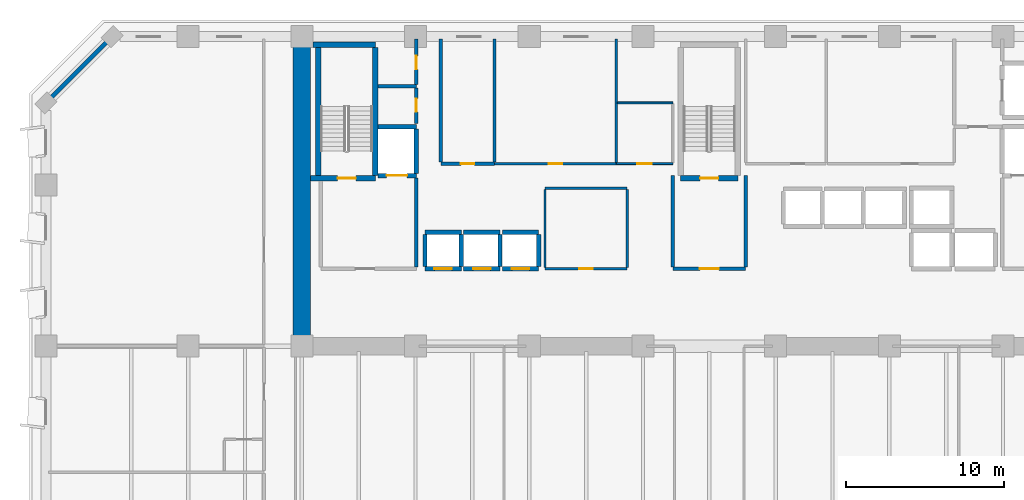
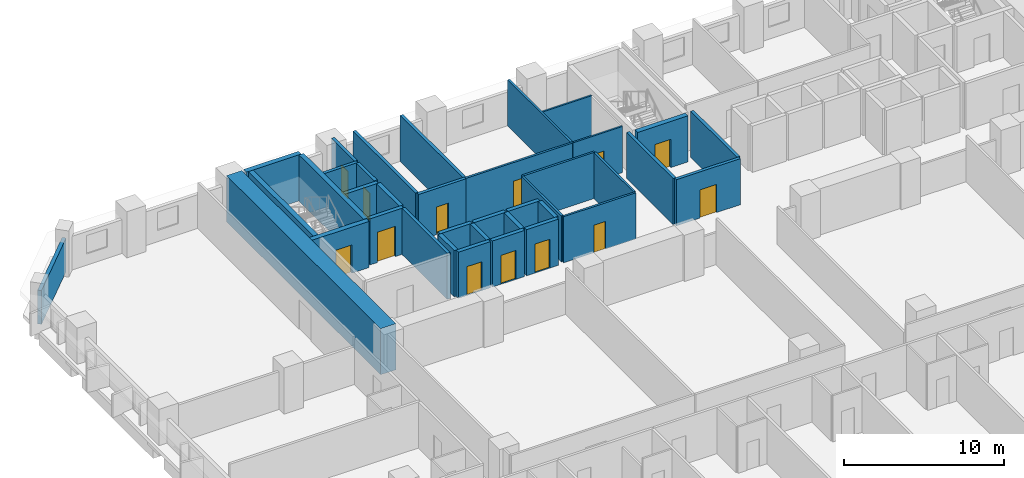
# One storey, part 7 of 15: 38 walls, 13 doors, 13 openings.
"""IFC4 building model written with IfcOpenShell, lengths in metres."""

from ifc_helpers import new_model, si_unit, direction, frame, frame_2d, origin, place, context, subcontext, project, spatial, rectangle, extrude, material, layer, layer_set, type_object, element, fill, save


model = new_model("IFC4")

# Units and contexts
model_context = context("Model", 3, precision=1e-05, world=origin(), true_north=direction((0.0, 1.0)))
body_context = subcontext(model_context, "Body", "Model", "MODEL_VIEW")
ifc_project = project(units=[si_unit("LENGTHUNIT", "METRE"), si_unit("AREAUNIT", "SQUARE_METRE"), si_unit("VOLUMEUNIT", "CUBIC_METRE"), si_unit("PLANEANGLEUNIT", "RADIAN"), si_unit("MASSUNIT", "GRAM", prefix="KILO")], contexts=[model_context])

# Site, building, storey
site_placement = place(None, origin())
site = spatial("IfcSite", under=ifc_project, at=site_placement, CompositionType="ELEMENT")
building_placement = place(site_placement, origin())
building = spatial("IfcBuilding", under=site, at=building_placement, Name="Kaelvorn Grand Hotel", CompositionType="ELEMENT")
storey_placement = place(building_placement, frame((0.0, 0.0, 50.14990234375)))
storey = spatial("IfcBuildingStorey", under=building, at=storey_placement, Name="L10", CompositionType="ELEMENT", Elevation=50.14990234375)

# Walls
ifc_material_1 = material(Name="Concrete C80/95", Category="concrete")
ifc_layer_1 = layer(ifc_material_1, 1.10009765625)
ifc_layer_set_1 = layer_set([ifc_layer_1], Name="Concrete C80/95")
wall_type_1 = type_object("IfcWallType", Name="WL-CORE-1100-C80", PredefinedType="SHEAR", material=ifc_layer_set_1)
wall_1_placement = place(storey_placement, frame((16.199951171875, 29.39990234375, 0.0), z_axis=(0.0, 0.0, 1.0), x_axis=(0.0, 1.0, 0.0)))
element("IfcWall", 1, at=wall_1_placement, inside=storey, type_object=wall_type_1, Name="L10 Rear-Core West Shear Wall", PredefinedType="SHEAR", context=body_context, shape_type="SweptSolid", body=[
    extrude(rectangle(XDim=19.2001953125, YDim=1.10009765625, at=frame_2d((9.60009765625, 0.0))), origin(), (0.0, 0.0, 1.0), 3.510009765625),
])
ifc_material_2 = material(Name="Concrete C40/50", Category="concrete")
ifc_layer_2 = layer(ifc_material_2, 0.260009765625)
ifc_layer_set_2 = layer_set([ifc_layer_2], Name="Concrete C40/50")
wall_type_2 = type_object("IfcWallType", Name="WL-EXT-260-C40", PredefinedType="SOLIDWALL", material=ifc_layer_set_2)
wall_2_placement = place(storey_placement, frame((4.199951171875, 49.0, 0.0), z_axis=(0.0, 0.0, 1.0), x_axis=(-0.707106781187, -0.707106781187, 0.0)))
element("IfcWall", 2, at=wall_2_placement, inside=storey, type_object=wall_type_2, Name="L10 Exterior Architectural Concrete Wall 06", PredefinedType="SOLIDWALL", context=body_context, shape_type="SweptSolid", body=[
    extrude(rectangle(XDim=5.939697265625, YDim=0.260009765625, at=frame_2d((2.9697265625, 0.0))), origin(), (0.0, 0.0, 1.0), 2.56005859375),
])

# Wall, opening, door
ifc_material_3 = material(Name="Moisture-Resistant Tile & Stud Board")
ifc_layer_3 = layer(ifc_material_3, 0.125)
ifc_layer_set_3 = layer_set([ifc_layer_3], Name="Moisture-Resistant Tile & Stud Board")
wall_type_3 = type_object("IfcWallType", Name="WL-PART-125-WET", PredefinedType="PARTITIONING", material=ifc_layer_set_3)
wall_3_placement = place(storey_placement, frame((36.110107421875, 40.949951171875, 0.0), z_axis=(0.0, 0.0, 1.0), x_axis=(1.0, 0.0, 0.0)))
wall_3 = element("IfcWall", 3, at=wall_3_placement, inside=storey, type_object=wall_type_3, Name="L10 Accessible WC S Partition", PredefinedType="PARTITIONING", context=body_context, shape_type="SweptSolid", body=[
    extrude(rectangle(XDim=3.58984375, YDim=0.125, at=frame_2d((1.794921875, 0.0))), origin(), (0.0, 0.0, 1.0), 3.510009765625),
])
opening_1_placement = place(wall_3_placement, frame((1.340087890625, 0.0, 0.0)))
opening_1 = element("IfcOpeningElement", 4, at=opening_1_placement, cuts=wall_3, Name="Opening DI4", PredefinedType="OPENING", context=body_context, shape_type="SweptSolid", body=[
    extrude(rectangle(XDim=0.89990234375, YDim=2.10009765625, at=frame_2d((0.449951171875, 1.050048828125))), frame((0.0, 0.072509765625, 0.0), z_axis=(0.0, -1.0, 0.0), x_axis=(1.0, 0.0, 0.0)), (0.0, 0.0, 1.0), 0.14501953125),
])
ifc_material_4 = material(Name="Timber Veneer Leaf", Category="wood")
door_type_1 = type_object("IfcDoorType", Name="DR-INT-BATH-900x2100", OperationType="NOTDEFINED", PredefinedType="DOOR", material=ifc_material_4)
door_1_placement = place(opening_1_placement, origin())
door_1 = element("IfcDoor", 5, at=door_1_placement, inside=storey, type_object=door_type_1, Name="L10 Accessible WC Door", OperationType="SINGLE_SWING_LEFT", OverallHeight=2.10009765625, OverallWidth=0.89990234375, PredefinedType="DOOR", context=body_context, shape_type="SweptSolid", body=[
    extrude(rectangle(XDim=0.89990234375, YDim=2.10009765625, at=frame_2d((0.449951171875, 1.050048828125))), frame((0.0, 0.02490234375, 0.0), z_axis=(0.0, -1.0, 0.0), x_axis=(1.0, 0.0, 0.0)), (0.0, 0.0, 1.0), 0.050048828125),
])
fill(opening_1, door_1)

# Wall
wall_4_placement = place(storey_placement, frame((36.179931640625, 44.800048828125, 0.0), z_axis=(0.0, 0.0, 1.0), x_axis=(1.0, 0.0, 0.0)))
element("IfcWall", 6, at=wall_4_placement, inside=storey, type_object=wall_type_3, Name="L10 Accessible WC N Partition", PredefinedType="PARTITIONING", context=body_context, shape_type="SweptSolid", body=[
    extrude(rectangle(XDim=3.52001953125, YDim=0.125, at=frame_2d((1.760009765625, 0.0))), origin(), (0.0, 0.0, 1.0), 3.510009765625),
])

# Wall, opening, door
ifc_material_5 = material(Name="Acoustic Gypsum & Stud Partition")
ifc_layer_4 = layer(ifc_material_5, 0.14990234375)
ifc_layer_set_4 = layer_set([ifc_layer_4], Name="Acoustic Gypsum & Stud Partition")
wall_type_4 = type_object("IfcWallType", Name="WL-PART-150-EI60", PredefinedType="PARTITIONING", material=ifc_layer_set_4)
wall_5_placement = place(storey_placement, frame((31.60009765625, 34.300048828125, 0.0), z_axis=(0.0, 0.0, 1.0), x_axis=(1.0, 0.0, 0.0)))
wall_5 = element("IfcWall", 7, at=wall_5_placement, inside=storey, type_object=wall_type_4, Name="L10 Core Telecoms & BMS Server Room S Partition", PredefinedType="PARTITIONING", context=body_context, shape_type="SweptSolid", body=[
    extrude(rectangle(XDim=5.199951171875, YDim=0.14990234375, at=frame_2d((2.60009765625, 0.0))), origin(), (0.0, 0.0, 1.0), 3.510009765625),
])
opening_2_placement = place(wall_5_placement, frame((2.175048828125, 0.0, 0.0)))
opening_2 = element("IfcOpeningElement", 8, at=opening_2_placement, cuts=wall_5, Name="Opening DI7", PredefinedType="OPENING", context=body_context, shape_type="SweptSolid", body=[
    extrude(rectangle(XDim=0.85009765625, YDim=2.10009765625, at=frame_2d((0.425048828125, 1.050048828125))), frame((0.0, 0.0849609375, 0.0), z_axis=(0.0, -1.0, 0.0), x_axis=(1.0, 0.0, 0.0)), (0.0, 0.0, 1.0), 0.169921875),
])
ifc_material_6 = material(Name="Powder-Coated Steel Leaf", Category="steel")
door_type_2 = type_object("IfcDoorType", Name="DR-INT-RISER-850x2100", OperationType="NOTDEFINED", PredefinedType="DOOR", material=ifc_material_6)
door_2_placement = place(opening_2_placement, origin())
door_2 = element("IfcDoor", 9, at=door_2_placement, inside=storey, type_object=door_type_2, Name="L10 Core Telecoms & BMS Server Room Door", OperationType="SINGLE_SWING_RIGHT", OverallHeight=2.10009765625, OverallWidth=0.85009765625, PredefinedType="DOOR", context=body_context, shape_type="SweptSolid", body=[
    extrude(rectangle(XDim=0.85009765625, YDim=2.10009765625, at=frame_2d((0.425048828125, 1.050048828125))), frame((0.0, 0.02490234375, 0.0), z_axis=(0.0, -1.0, 0.0), x_axis=(1.0, 0.0, 0.0)), (0.0, 0.0, 1.0), 0.050048828125),
])
fill(opening_2, door_2)

# Walls
wall_6_placement = place(storey_placement, frame((31.60009765625, 39.39990234375, 0.0), z_axis=(0.0, 0.0, 1.0), x_axis=(1.0, 0.0, 0.0)))
element("IfcWall", 10, at=wall_6_placement, inside=storey, type_object=wall_type_4, Name="L10 Core Telecoms & BMS Server Room N Partition", PredefinedType="PARTITIONING", context=body_context, shape_type="SweptSolid", body=[
    extrude(rectangle(XDim=5.199951171875, YDim=0.14990234375, at=frame_2d((2.60009765625, 0.0))), origin(), (0.0, 0.0, 1.0), 3.510009765625),
])
for number, where, z_axis, x_axis, name in (
    (11, (31.60009765625, 34.3798828125, 0.0), (0.0, 0.0, 1.0), (0.0, 1.0, 0.0), "L10 Core Telecoms & BMS Server Room W Partition"),
    (12, (36.800048828125, 34.3798828125, 0.0), (0.0, 0.0, 1.0), (0.0, 1.0, 0.0), "L10 Core Telecoms & BMS Server Room E Partition"),
):
    element("IfcWall", number, at=place(storey_placement, frame(where, z_axis=z_axis, x_axis=x_axis)), inside=storey, type_object=wall_type_4, Name=name, PredefinedType="PARTITIONING", context=body_context, shape_type="SweptSolid", body=[
        extrude(rectangle(XDim=4.940185546875, YDim=0.14990234375, at=frame_2d((2.47021484375, 0.0))), origin(), (0.0, 0.0, 1.0), 3.510009765625),
    ])

# Wall, opening, door
wall_7_placement = place(storey_placement, frame((28.409912109375, 40.949951171875, 0.0), z_axis=(0.0, 0.0, 1.0), x_axis=(1.0, 0.0, 0.0)))
wall_7 = element("IfcWall", 13, at=wall_7_placement, inside=storey, type_object=wall_type_4, Name="L10 Housekeeping & Linen Room S Partition", PredefinedType="PARTITIONING", context=body_context, shape_type="SweptSolid", body=[
    extrude(rectangle(XDim=7.690185546875, YDim=0.14990234375, at=frame_2d((3.84521484375, 0.0))), origin(), (0.0, 0.0, 1.0), 3.510009765625),
])
opening_3_placement = place(wall_7_placement, frame((3.4150390625, 0.0, 0.0)))
opening_3 = element("IfcOpeningElement", 14, at=opening_3_placement, cuts=wall_7, Name="Opening DI7", PredefinedType="OPENING", context=body_context, shape_type="SweptSolid", body=[
    extrude(rectangle(XDim=0.85009765625, YDim=2.10009765625, at=frame_2d((0.425048828125, 1.050048828125))), frame((0.0, 0.0849609375, 0.0), z_axis=(0.0, -1.0, 0.0), x_axis=(1.0, 0.0, 0.0)), (0.0, 0.0, 1.0), 0.169921875),
])
door_3_placement = place(opening_3_placement, origin())
door_3 = element("IfcDoor", 15, at=door_3_placement, inside=storey, type_object=door_type_2, Name="L10 Housekeeping & Linen Room Door", OperationType="SINGLE_SWING_RIGHT", OverallHeight=2.10009765625, OverallWidth=0.85009765625, PredefinedType="DOOR", context=body_context, shape_type="SweptSolid", body=[
    extrude(rectangle(XDim=0.85009765625, YDim=2.10009765625, at=frame_2d((0.425048828125, 1.050048828125))), frame((0.0, 0.02490234375, 0.0), z_axis=(0.0, -1.0, 0.0), x_axis=(1.0, 0.0, 0.0)), (0.0, 0.0, 1.0), 0.050048828125),
])
fill(opening_3, door_3)

# Walls
wall_8_placement = place(storey_placement, frame((36.10009765625, 41.030029296875, 0.0), z_axis=(0.0, 0.0, 1.0), x_axis=(0.0, 1.0, 0.0)))
element("IfcWall", 16, at=wall_8_placement, inside=storey, type_object=wall_type_4, Name="L10 Housekeeping & Linen Room E Partition", PredefinedType="PARTITIONING", context=body_context, shape_type="SweptSolid", body=[
    extrude(rectangle(XDim=7.820068359375, YDim=0.14990234375, at=frame_2d((3.91015625, 0.0))), origin(), (0.0, 0.0, 1.0), 3.510009765625),
])
ifc_layer_5 = layer(ifc_material_2, 0.219970703125)
ifc_layer_set_5 = layer_set([ifc_layer_5], Name="Concrete C40/50")
wall_type_5 = type_object("IfcWallType", Name="WL-PART-220-EI120", PredefinedType="PARTITIONING", material=ifc_layer_set_5)
wall_9_placement = place(storey_placement, frame((23.449951171875, 34.4150390625, 0.0), z_axis=(0.0, 0.0, 1.0), x_axis=(0.0, 1.0, 0.0)))
element("IfcWall", 17, at=wall_9_placement, inside=storey, type_object=wall_type_5, Name="L10 Firefighting Lift Lobby 1 E Partition", PredefinedType="PARTITIONING", context=body_context, shape_type="SweptSolid", body=[
    extrude(rectangle(XDim=5.639892578125, YDim=0.219970703125, at=frame_2d((2.81982421875, 0.0))), origin(), (0.0, 0.0, 1.0), 3.510009765625),
])

# Wall, opening, door
wall_10_placement = place(storey_placement, frame((39.699951171875, 34.300048828125, 0.0), z_axis=(0.0, 0.0, 1.0), x_axis=(1.0, 0.0, 0.0)))
wall_10 = element("IfcWall", 18, at=wall_10_placement, inside=storey, type_object=wall_type_5, Name="L10 Central Stair Escape Vestibule S Partition", PredefinedType="PARTITIONING", context=body_context, shape_type="SweptSolid", body=[
    extrude(rectangle(XDim=4.60009765625, YDim=0.219970703125, at=frame_2d((2.300048828125, 0.0))), origin(), (0.0, 0.0, 1.0), 3.510009765625),
])
opening_4_placement = place(wall_10_placement, frame((1.699951171875, 0.0, 0.0)))
opening_4 = element("IfcOpeningElement", 19, at=opening_4_placement, cuts=wall_10, Name="Opening DI2", PredefinedType="OPENING", context=body_context, shape_type="SweptSolid", body=[
    extrude(rectangle(XDim=1.199951171875, YDim=2.14990234375, at=frame_2d((0.60009765625, 1.074951171875))), frame((0.0, 0.1201171875, 0.0), z_axis=(0.0, -1.0, 0.0), x_axis=(1.0, 0.0, 0.0)), (0.0, 0.0, 1.0), 0.239990234375),
])
ifc_material_7 = material(Name="Timber Veneer Fire Leaf", Category="wood")
door_type_3 = type_object("IfcDoorType", Name="DR-INT-FFLOB-1200x2150", OperationType="NOTDEFINED", PredefinedType="DOOR", material=ifc_material_7)
door_4_placement = place(opening_4_placement, origin())
door_4 = element("IfcDoor", 20, at=door_4_placement, inside=storey, type_object=door_type_3, Name="L10 Central Stair Escape Vestibule Door", OperationType="SINGLE_SWING_RIGHT", OverallHeight=2.14990234375, OverallWidth=1.199951171875, PredefinedType="DOOR", context=body_context, shape_type="SweptSolid", body=[
    extrude(rectangle(XDim=1.199951171875, YDim=2.14990234375, at=frame_2d((0.60009765625, 1.074951171875))), frame((0.0, 0.02490234375, 0.0), z_axis=(0.0, -1.0, 0.0), x_axis=(1.0, 0.0, 0.0)), (0.0, 0.0, 1.0), 0.050048828125),
])
fill(opening_4, door_4)

# Walls
for number, where, z_axis, x_axis, name in (
    (21, (39.699951171875, 34.4150390625, 0.0), (0.0, 0.0, 1.0), (0.0, 1.0, 0.0), "L10 Central Stair Escape Vestibule W Partition"),
    (22, (44.300048828125, 34.4150390625, 0.0), (0.0, 0.0, 1.0), (0.0, 1.0, 0.0), "L10 Central Stair Escape Vestibule E Partition"),
):
    element("IfcWall", number, at=place(storey_placement, frame(where, z_axis=z_axis, x_axis=x_axis)), inside=storey, type_object=wall_type_5, Name=name, PredefinedType="PARTITIONING", context=body_context, shape_type="SweptSolid", body=[
        extrude(rectangle(XDim=5.784912109375, YDim=0.219970703125, at=frame_2d((2.892578125, 0.0))), origin(), (0.0, 0.0, 1.0), 3.510009765625),
    ])
wall_11_placement = place(storey_placement, frame((21.034912109375, 45.85009765625, 0.0), z_axis=(0.0, 0.0, 1.0), x_axis=(1.0, 0.0, 0.0)))
element("IfcWall", 23, at=wall_11_placement, inside=storey, type_object=wall_type_5, Name="L10 Wet Fire & Plumbing Riser Shaft N Partition", PredefinedType="PARTITIONING", context=body_context, shape_type="SweptSolid", body=[
    extrude(rectangle(XDim=2.4150390625, YDim=0.219970703125, at=frame_2d((1.20751953125, 0.0))), origin(), (0.0, 0.0, 1.0), 3.510009765625),
])

# Wall, opening, door
wall_12_placement = place(storey_placement, frame((23.449951171875, 43.5, 0.0), z_axis=(0.0, 0.0, 1.0), x_axis=(0.0, 1.0, 0.0)))
wall_12 = element("IfcWall", 24, at=wall_12_placement, inside=storey, type_object=wall_type_5, Name="L10 Wet Fire & Plumbing Riser Shaft E Partition", PredefinedType="PARTITIONING", context=body_context, shape_type="SweptSolid", body=[
    extrude(rectangle(XDim=2.235107421875, YDim=0.219970703125, at=frame_2d((1.11767578125, 0.0))), origin(), (0.0, 0.0, 1.0), 3.510009765625),
])
opening_5_placement = place(wall_12_placement, frame((0.72509765625, 0.0, 0.0)))
opening_5 = element("IfcOpeningElement", 25, at=opening_5_placement, cuts=wall_12, Name="Opening DI7", PredefinedType="OPENING", context=body_context, shape_type="SweptSolid", body=[
    extrude(rectangle(XDim=0.85009765625, YDim=2.10009765625, at=frame_2d((0.425048828125, 1.050048828125))), frame((0.0, 0.1201171875, 0.0), z_axis=(0.0, -1.0, 0.0), x_axis=(1.0, 0.0, 0.0)), (0.0, 0.0, 1.0), 0.239990234375),
])
door_5_placement = place(opening_5_placement, origin())
door_5 = element("IfcDoor", 26, at=door_5_placement, inside=storey, type_object=door_type_2, Name="L10 Wet Fire & Plumbing Riser Shaft Door", OperationType="SINGLE_SWING_RIGHT", OverallHeight=2.10009765625, OverallWidth=0.85009765625, PredefinedType="DOOR", context=body_context, shape_type="SweptSolid", body=[
    extrude(rectangle(XDim=0.85009765625, YDim=2.10009765625, at=frame_2d((0.425048828125, 1.050048828125))), frame((0.0, 0.02490234375, 0.0), z_axis=(0.0, -1.0, 0.0), x_axis=(1.0, 0.0, 0.0)), (0.0, 0.0, 1.0), 0.050048828125),
])
fill(opening_5, door_5)

wall_13_placement = place(storey_placement, frame((23.449951171875, 45.965087890625, 0.0), z_axis=(0.0, 0.0, 1.0), x_axis=(0.0, 1.0, 0.0)))
wall_13 = element("IfcWall", 27, at=wall_13_placement, inside=storey, type_object=wall_type_5, Name="L10 HV Electrical & Smoke Riser E Partition", PredefinedType="PARTITIONING", context=body_context, shape_type="SweptSolid", body=[
    extrude(rectangle(XDim=2.885009765625, YDim=0.219970703125, at=frame_2d((1.4423828125, 0.0))), origin(), (0.0, 0.0, 1.0), 3.510009765625),
])
opening_6_placement = place(wall_13_placement, frame((0.9599609375, 0.0, 0.0)))
opening_6 = element("IfcOpeningElement", 28, at=opening_6_placement, cuts=wall_13, Name="Opening DI7", PredefinedType="OPENING", context=body_context, shape_type="SweptSolid", body=[
    extrude(rectangle(XDim=0.85009765625, YDim=2.10009765625, at=frame_2d((0.425048828125, 1.050048828125))), frame((0.0, 0.1201171875, 0.0), z_axis=(0.0, -1.0, 0.0), x_axis=(1.0, 0.0, 0.0)), (0.0, 0.0, 1.0), 0.239990234375),
])
door_6_placement = place(opening_6_placement, origin())
door_6 = element("IfcDoor", 29, at=door_6_placement, inside=storey, type_object=door_type_2, Name="L10 HV Electrical & Smoke Riser Door", OperationType="SINGLE_SWING_LEFT", OverallHeight=2.10009765625, OverallWidth=0.85009765625, PredefinedType="DOOR", context=body_context, shape_type="SweptSolid", body=[
    extrude(rectangle(XDim=0.85009765625, YDim=2.10009765625, at=frame_2d((0.425048828125, 1.050048828125))), frame((0.0, 0.02490234375, 0.0), z_axis=(0.0, -1.0, 0.0), x_axis=(1.0, 0.0, 0.0)), (0.0, 0.0, 1.0), 0.050048828125),
])
fill(opening_6, door_6)

wall_14_placement = place(storey_placement, frame((25.0, 40.949951171875, 0.0), z_axis=(0.0, 0.0, 1.0), x_axis=(1.0, 0.0, 0.0)))
wall_14 = element("IfcWall", 30, at=wall_14_placement, inside=storey, type_object=wall_type_5, Name="L10 Electrical Distribution Room S Partition", PredefinedType="PARTITIONING", context=body_context, shape_type="SweptSolid", body=[
    extrude(rectangle(XDim=3.39990234375, YDim=0.219970703125, at=frame_2d((1.699951171875, 0.0))), origin(), (0.0, 0.0, 1.0), 3.510009765625),
])
opening_7_placement = place(wall_14_placement, frame((1.27490234375, 0.0, 0.0)))
opening_7 = element("IfcOpeningElement", 31, at=opening_7_placement, cuts=wall_14, Name="Opening DI7", PredefinedType="OPENING", context=body_context, shape_type="SweptSolid", body=[
    extrude(rectangle(XDim=0.85009765625, YDim=2.10009765625, at=frame_2d((0.425048828125, 1.050048828125))), frame((0.0, 0.1201171875, 0.0), z_axis=(0.0, -1.0, 0.0), x_axis=(1.0, 0.0, 0.0)), (0.0, 0.0, 1.0), 0.239990234375),
])
door_7_placement = place(opening_7_placement, origin())
door_7 = element("IfcDoor", 32, at=door_7_placement, inside=storey, type_object=door_type_2, Name="L10 Electrical Distribution Room Door", OperationType="SINGLE_SWING_LEFT", OverallHeight=2.10009765625, OverallWidth=0.85009765625, PredefinedType="DOOR", context=body_context, shape_type="SweptSolid", body=[
    extrude(rectangle(XDim=0.85009765625, YDim=2.10009765625, at=frame_2d((0.425048828125, 1.050048828125))), frame((0.0, 0.02490234375, 0.0), z_axis=(0.0, -1.0, 0.0), x_axis=(1.0, 0.0, 0.0)), (0.0, 0.0, 1.0), 0.050048828125),
])
fill(opening_7, door_7)

# Walls
for number, where, z_axis, x_axis, name in (
    (33, (25.0, 41.06494140625, 0.0), (0.0, 0.0, 1.0), (0.0, 1.0, 0.0), "L10 Electrical Distribution Room W Partition"),
    (34, (28.39990234375, 41.06494140625, 0.0), (0.0, 0.0, 1.0), (0.0, 1.0, 0.0), "L10 Electrical Distribution Room E Partition"),
):
    element("IfcWall", number, at=place(storey_placement, frame(where, z_axis=z_axis, x_axis=x_axis)), inside=storey, type_object=wall_type_5, Name=name, PredefinedType="PARTITIONING", context=body_context, shape_type="SweptSolid", body=[
        extrude(rectangle(XDim=7.78515625, YDim=0.219970703125, at=frame_2d((3.892578125, 0.0))), origin(), (0.0, 0.0, 1.0), 3.510009765625),
    ])

# Wall, opening, door
ifc_material_8 = material(Name="Concrete C50/60", Category="concrete")
ifc_layer_6 = layer(ifc_material_8, 0.280029296875)
ifc_layer_set_6 = layer_set([ifc_layer_6], Name="Concrete C50/60")
wall_type_6 = type_object("IfcWallType", Name="WL-SHAFT-280-C50", PredefinedType="SHEAR", material=ifc_layer_set_6)
wall_15_placement = place(storey_placement, frame((24.0, 34.300048828125, 0.0), z_axis=(0.0, 0.0, 1.0), x_axis=(1.0, 0.0, 0.0)))
wall_15 = element("IfcWall", 35, at=wall_15_placement, inside=storey, type_object=wall_type_6, Name="L10 Lift PL-L1 Shaft South Wall", PredefinedType="SHEAR", context=body_context, shape_type="SweptSolid", body=[
    extrude(rectangle(XDim=2.300048828125, YDim=0.280029296875, at=frame_2d((1.14990234375, 0.0))), origin(), (0.0, 0.0, 1.0), 3.510009765625),
])
opening_8_placement = place(wall_15_placement, frame((0.60009765625, 0.0, 0.0)))
opening_8 = element("IfcOpeningElement", 36, at=opening_8_placement, cuts=wall_15, Name="Opening LD-PL-L1", PredefinedType="OPENING", context=body_context, shape_type="SweptSolid", body=[
    extrude(rectangle(XDim=1.10009765625, YDim=2.199951171875, at=frame_2d((0.550048828125, 1.10009765625))), frame((0.0, 0.14990234375, 0.0), z_axis=(0.0, -1.0, 0.0), x_axis=(1.0, 0.0, 0.0)), (0.0, 0.0, 1.0), 0.300048828125),
])
ifc_material_9 = material(Name="Stainless Steel", Category="steel")
door_type_4 = type_object("IfcDoorType", Name="DR-LIFT-PASS-1100x2200", OperationType="DOUBLE_DOOR_SLIDING", PredefinedType="DOOR", material=ifc_material_9)
door_8_placement = place(opening_8_placement, origin())
door_8 = element("IfcDoor", 37, at=door_8_placement, inside=storey, type_object=door_type_4, Name="L10 Lift PL-L1 Sliding Landing Door LD-PL-L1", OperationType="DOUBLE_DOOR_SLIDING", OverallHeight=2.199951171875, OverallWidth=1.10009765625, PredefinedType="DOOR", context=body_context, shape_type="SweptSolid", body=[
    extrude(rectangle(XDim=1.10009765625, YDim=2.199951171875, at=frame_2d((0.550048828125, 1.10009765625))), frame((0.0, 0.02490234375, 0.0), z_axis=(0.0, -1.0, 0.0), x_axis=(1.0, 0.0, 0.0)), (0.0, 0.0, 1.0), 0.050048828125),
])
fill(opening_8, door_8)

# Walls
wall_16_placement = place(storey_placement, frame((24.0, 36.60009765625, 0.0), z_axis=(0.0, 0.0, 1.0), x_axis=(1.0, 0.0, 0.0)))
element("IfcWall", 38, at=wall_16_placement, inside=storey, type_object=wall_type_6, Name="L10 Lift PL-L1 Shaft North Wall", PredefinedType="SHEAR", context=body_context, shape_type="SweptSolid", body=[
    extrude(rectangle(XDim=2.300048828125, YDim=0.280029296875, at=frame_2d((1.14990234375, 0.0))), origin(), (0.0, 0.0, 1.0), 3.510009765625),
])
for number, where, z_axis, x_axis, name in (
    (39, (24.0, 34.445068359375, 0.0), (0.0, 0.0, 1.0), (0.0, 1.0, 0.0), "L10 Lift PL-L1 Shaft West Wall"),
    (40, (26.300048828125, 34.445068359375, 0.0), (0.0, 0.0, 1.0), (0.0, 1.0, 0.0), "L10 Lift PL-L1 Shaft East Wall"),
):
    element("IfcWall", number, at=place(storey_placement, frame(where, z_axis=z_axis, x_axis=x_axis)), inside=storey, type_object=wall_type_6, Name=name, PredefinedType="SHEAR", context=body_context, shape_type="SweptSolid", body=[
        extrude(rectangle(XDim=2.010009765625, YDim=0.280029296875, at=frame_2d((1.0048828125, 0.0))), origin(), (0.0, 0.0, 1.0), 3.510009765625),
    ])

# Wall, opening, door
wall_17_placement = place(storey_placement, frame((26.449951171875, 34.300048828125, 0.0), z_axis=(0.0, 0.0, 1.0), x_axis=(1.0, 0.0, 0.0)))
wall_17 = element("IfcWall", 41, at=wall_17_placement, inside=storey, type_object=wall_type_6, Name="L10 Lift PL-L2 Shaft South Wall", PredefinedType="SHEAR", context=body_context, shape_type="SweptSolid", body=[
    extrude(rectangle(XDim=2.300048828125, YDim=0.280029296875, at=frame_2d((1.14990234375, 0.0))), origin(), (0.0, 0.0, 1.0), 3.510009765625),
])
opening_9_placement = place(wall_17_placement, frame((0.60009765625, 0.0, 0.0)))
opening_9 = element("IfcOpeningElement", 42, at=opening_9_placement, cuts=wall_17, Name="Opening LD-PL-L2", PredefinedType="OPENING", context=body_context, shape_type="SweptSolid", body=[
    extrude(rectangle(XDim=1.10009765625, YDim=2.199951171875, at=frame_2d((0.550048828125, 1.10009765625))), frame((0.0, 0.14990234375, 0.0), z_axis=(0.0, -1.0, 0.0), x_axis=(1.0, 0.0, 0.0)), (0.0, 0.0, 1.0), 0.300048828125),
])
door_9_placement = place(opening_9_placement, origin())
door_9 = element("IfcDoor", 43, at=door_9_placement, inside=storey, type_object=door_type_4, Name="L10 Lift PL-L2 Sliding Landing Door LD-PL-L2", OperationType="DOUBLE_DOOR_SLIDING", OverallHeight=2.199951171875, OverallWidth=1.10009765625, PredefinedType="DOOR", context=body_context, shape_type="SweptSolid", body=[
    extrude(rectangle(XDim=1.10009765625, YDim=2.199951171875, at=frame_2d((0.550048828125, 1.10009765625))), frame((0.0, 0.02490234375, 0.0), z_axis=(0.0, -1.0, 0.0), x_axis=(1.0, 0.0, 0.0)), (0.0, 0.0, 1.0), 0.050048828125),
])
fill(opening_9, door_9)

# Walls
wall_18_placement = place(storey_placement, frame((26.449951171875, 36.60009765625, 0.0), z_axis=(0.0, 0.0, 1.0), x_axis=(1.0, 0.0, 0.0)))
element("IfcWall", 44, at=wall_18_placement, inside=storey, type_object=wall_type_6, Name="L10 Lift PL-L2 Shaft North Wall", PredefinedType="SHEAR", context=body_context, shape_type="SweptSolid", body=[
    extrude(rectangle(XDim=2.300048828125, YDim=0.280029296875, at=frame_2d((1.14990234375, 0.0))), origin(), (0.0, 0.0, 1.0), 3.510009765625),
])
wall_19_placement = place(storey_placement, frame((28.75, 34.445068359375, 0.0), z_axis=(0.0, 0.0, 1.0), x_axis=(0.0, 1.0, 0.0)))
element("IfcWall", 45, at=wall_19_placement, inside=storey, type_object=wall_type_6, Name="L10 Lift PL-L2 Shaft East Wall", PredefinedType="SHEAR", context=body_context, shape_type="SweptSolid", body=[
    extrude(rectangle(XDim=2.010009765625, YDim=0.280029296875, at=frame_2d((1.0048828125, 0.0))), origin(), (0.0, 0.0, 1.0), 3.510009765625),
])

# Wall, opening, door
wall_20_placement = place(storey_placement, frame((28.89990234375, 34.300048828125, 0.0), z_axis=(0.0, 0.0, 1.0), x_axis=(1.0, 0.0, 0.0)))
wall_20 = element("IfcWall", 46, at=wall_20_placement, inside=storey, type_object=wall_type_6, Name="L10 Lift PL-L3 Shaft South Wall", PredefinedType="SHEAR", context=body_context, shape_type="SweptSolid", body=[
    extrude(rectangle(XDim=2.300048828125, YDim=0.280029296875, at=frame_2d((1.14990234375, 0.0))), origin(), (0.0, 0.0, 1.0), 3.510009765625),
])
opening_10_placement = place(wall_20_placement, frame((0.60009765625, 0.0, 0.0)))
opening_10 = element("IfcOpeningElement", 47, at=opening_10_placement, cuts=wall_20, Name="Opening LD-PL-L3", PredefinedType="OPENING", context=body_context, shape_type="SweptSolid", body=[
    extrude(rectangle(XDim=1.10009765625, YDim=2.199951171875, at=frame_2d((0.550048828125, 1.10009765625))), frame((0.0, 0.14990234375, 0.0), z_axis=(0.0, -1.0, 0.0), x_axis=(1.0, 0.0, 0.0)), (0.0, 0.0, 1.0), 0.300048828125),
])
door_10_placement = place(opening_10_placement, origin())
door_10 = element("IfcDoor", 48, at=door_10_placement, inside=storey, type_object=door_type_4, Name="L10 Lift PL-L3 Sliding Landing Door LD-PL-L3", OperationType="DOUBLE_DOOR_SLIDING", OverallHeight=2.199951171875, OverallWidth=1.10009765625, PredefinedType="DOOR", context=body_context, shape_type="SweptSolid", body=[
    extrude(rectangle(XDim=1.10009765625, YDim=2.199951171875, at=frame_2d((0.550048828125, 1.10009765625))), frame((0.0, 0.02490234375, 0.0), z_axis=(0.0, -1.0, 0.0), x_axis=(1.0, 0.0, 0.0)), (0.0, 0.0, 1.0), 0.050048828125),
])
fill(opening_10, door_10)

# Walls
wall_21_placement = place(storey_placement, frame((28.89990234375, 36.60009765625, 0.0), z_axis=(0.0, 0.0, 1.0), x_axis=(1.0, 0.0, 0.0)))
element("IfcWall", 49, at=wall_21_placement, inside=storey, type_object=wall_type_6, Name="L10 Lift PL-L3 Shaft North Wall", PredefinedType="SHEAR", context=body_context, shape_type="SweptSolid", body=[
    extrude(rectangle(XDim=2.300048828125, YDim=0.280029296875, at=frame_2d((1.14990234375, 0.0))), origin(), (0.0, 0.0, 1.0), 3.510009765625),
])
wall_22_placement = place(storey_placement, frame((31.199951171875, 34.445068359375, 0.0), z_axis=(0.0, 0.0, 1.0), x_axis=(0.0, 1.0, 0.0)))
element("IfcWall", 50, at=wall_22_placement, inside=storey, type_object=wall_type_6, Name="L10 Lift PL-L3 Shaft East Wall", PredefinedType="SHEAR", context=body_context, shape_type="SweptSolid", body=[
    extrude(rectangle(XDim=2.010009765625, YDim=0.280029296875, at=frame_2d((1.0048828125, 0.0))), origin(), (0.0, 0.0, 1.0), 3.510009765625),
])

# Wall, opening, door
wall_23_placement = place(storey_placement, frame((21.034912109375, 40.199951171875, 0.0), z_axis=(0.0, 0.0, 1.0), x_axis=(1.0, 0.0, 0.0)))
wall_23 = element("IfcWall", 51, at=wall_23_placement, inside=storey, type_object=wall_type_6, Name="L10 Lift FFL1 Shaft South Wall", PredefinedType="SHEAR", context=body_context, shape_type="SweptSolid", body=[
    extrude(rectangle(XDim=2.4150390625, YDim=0.280029296875, at=frame_2d((1.20751953125, 0.0))), origin(), (0.0, 0.0, 1.0), 3.510009765625),
])
opening_11_placement = place(wall_23_placement, frame((0.5400390625, 0.0, 0.0)))
opening_11 = element("IfcOpeningElement", 52, at=opening_11_placement, cuts=wall_23, Name="Opening LD-FFL1", PredefinedType="OPENING", context=body_context, shape_type="SweptSolid", body=[
    extrude(rectangle(XDim=1.300048828125, YDim=2.300048828125, at=frame_2d((0.64990234375, 1.14990234375))), frame((0.0, 0.14990234375, 0.0), z_axis=(0.0, -1.0, 0.0), x_axis=(1.0, 0.0, 0.0)), (0.0, 0.0, 1.0), 0.300048828125),
])
door_type_5 = type_object("IfcDoorType", Name="DR-LIFT-SERV-1300x2300", OperationType="DOUBLE_DOOR_SLIDING", PredefinedType="DOOR", material=ifc_material_9)
door_11_placement = place(opening_11_placement, origin())
door_11 = element("IfcDoor", 53, at=door_11_placement, inside=storey, type_object=door_type_5, Name="L10 Lift FFL1 Sliding Landing Door LD-FFL1", OperationType="DOUBLE_DOOR_SLIDING", OverallHeight=2.300048828125, OverallWidth=1.300048828125, PredefinedType="DOOR", context=body_context, shape_type="SweptSolid", body=[
    extrude(rectangle(XDim=1.300048828125, YDim=2.300048828125, at=frame_2d((0.64990234375, 1.14990234375))), frame((0.0, 0.02490234375, 0.0), z_axis=(0.0, -1.0, 0.0), x_axis=(1.0, 0.0, 0.0)), (0.0, 0.0, 1.0), 0.050048828125),
])
fill(opening_11, door_11)

# Walls
wall_24_placement = place(storey_placement, frame((21.034912109375, 43.300048828125, 0.0), z_axis=(0.0, 0.0, 1.0), x_axis=(1.0, 0.0, 0.0)))
element("IfcWall", 54, at=wall_24_placement, inside=storey, type_object=wall_type_6, Name="L10 Lift FFL1 Shaft North Wall", PredefinedType="SHEAR", context=body_context, shape_type="SweptSolid", body=[
    extrude(rectangle(XDim=2.4150390625, YDim=0.280029296875, at=frame_2d((1.20751953125, 0.0))), origin(), (0.0, 0.0, 1.0), 3.510009765625),
])
wall_25_placement = place(storey_placement, frame((23.449951171875, 40.344970703125, 0.0), z_axis=(0.0, 0.0, 1.0), x_axis=(0.0, 1.0, 0.0)))
element("IfcWall", 55, at=wall_25_placement, inside=storey, type_object=wall_type_6, Name="L10 Lift FFL1 Shaft East Wall", PredefinedType="SHEAR", context=body_context, shape_type="SweptSolid", body=[
    extrude(rectangle(XDim=2.81005859375, YDim=0.280029296875, at=frame_2d((1.405029296875, 0.0))), origin(), (0.0, 0.0, 1.0), 3.510009765625),
])

# Wall, opening, door
ifc_material_10 = material(Name="Concrete C60/75", Category="concrete")
ifc_layer_7 = layer(ifc_material_10, 0.35009765625)
ifc_layer_set_7 = layer_set([ifc_layer_7], Name="Concrete C60/75")
wall_type_7 = type_object("IfcWallType", Name="WL-SHAFT-350-C60", PredefinedType="SHEAR", material=ifc_layer_set_7)
wall_26_placement = place(storey_placement, frame((16.7548828125, 40.02490234375, 0.0), z_axis=(0.0, 0.0, 1.0), x_axis=(1.0, 0.0, 0.0)))
wall_26 = element("IfcWall", 56, at=wall_26_placement, inside=storey, type_object=wall_type_7, Name="L10 ST1 Stair Shaft South Wall", PredefinedType="SHEAR", context=body_context, shape_type="SweptSolid", body=[
    extrude(rectangle(XDim=4.10009765625, YDim=0.35009765625, at=frame_2d((2.050048828125, 0.0))), origin(), (0.0, 0.0, 1.0), 3.510009765625),
])
opening_12_placement = place(wall_26_placement, frame((1.7099609375, 0.0, 0.0)))
opening_12 = element("IfcOpeningElement", 57, at=opening_12_placement, cuts=wall_26, Name="Opening DI1", PredefinedType="OPENING", context=body_context, shape_type="SweptSolid", body=[
    extrude(rectangle(XDim=1.14990234375, YDim=2.14990234375, at=frame_2d((0.574951171875, 1.074951171875))), frame((0.0, 0.18505859375, 0.0), z_axis=(0.0, -1.0, 0.0), x_axis=(1.0, 0.0, 0.0)), (0.0, 0.0, 1.0), 0.3701171875),
])
door_type_6 = type_object("IfcDoorType", Name="DR-INT-STAIR-1150x2150", OperationType="NOTDEFINED", PredefinedType="DOOR", material=ifc_material_7)
door_12_placement = place(opening_12_placement, origin())
door_12 = element("IfcDoor", 58, at=door_12_placement, inside=storey, type_object=door_type_6, Name="L10 ST1 Exit Stair Fire Door", OperationType="SINGLE_SWING_LEFT", OverallHeight=2.14990234375, OverallWidth=1.14990234375, PredefinedType="DOOR", context=body_context, shape_type="SweptSolid", body=[
    extrude(rectangle(XDim=1.14990234375, YDim=2.14990234375, at=frame_2d((0.574951171875, 1.074951171875))), frame((0.0, 0.02490234375, 0.0), z_axis=(0.0, -1.0, 0.0), x_axis=(1.0, 0.0, 0.0)), (0.0, 0.0, 1.0), 0.050048828125),
])
fill(opening_12, door_12)

# Walls
wall_27_placement = place(storey_placement, frame((16.905029296875, 48.47509765625, 0.0), z_axis=(0.0, 0.0, 1.0), x_axis=(1.0, 0.0, 0.0)))
element("IfcWall", 59, at=wall_27_placement, inside=storey, type_object=wall_type_7, Name="L10 ST1 Stair Shaft North Wall", PredefinedType="SHEAR", context=body_context, shape_type="SweptSolid", body=[
    extrude(rectangle(XDim=3.949951171875, YDim=0.35009765625, at=frame_2d((1.97509765625, 0.0))), origin(), (0.0, 0.0, 1.0), 3.510009765625),
])
for number, where, z_axis, x_axis, name in (
    (60, (17.22509765625, 40.205078125, 0.0), (0.0, 0.0, 1.0), (0.0, 1.0, 0.0), "L10 ST1 Stair Shaft West Wall"),
    (61, (20.85498046875, 40.205078125, 0.0), (0.0, 0.0, 1.0), (0.0, 1.0, 0.0), "L10 ST1 Stair Shaft East Wall"),
):
    element("IfcWall", number, at=place(storey_placement, frame(where, z_axis=z_axis, x_axis=x_axis)), inside=storey, type_object=wall_type_7, Name=name, PredefinedType="SHEAR", context=body_context, shape_type="SweptSolid", body=[
        extrude(rectangle(XDim=8.08984375, YDim=0.35009765625, at=frame_2d((4.044921875, 0.0))), origin(), (0.0, 0.0, 1.0), 3.510009765625),
    ])

# Wall, opening, door
wall_28_placement = place(storey_placement, frame((40.18505859375, 40.02490234375, 0.0), z_axis=(0.0, 0.0, 1.0), x_axis=(1.0, 0.0, 0.0)))
wall_28 = element("IfcWall", 62, at=wall_28_placement, inside=storey, type_object=wall_type_7, Name="L10 ST2 Stair Shaft South Wall", PredefinedType="SHEAR", context=body_context, shape_type="SweptSolid", body=[
    extrude(rectangle(XDim=3.6298828125, YDim=0.35009765625, at=frame_2d((1.81494140625, 0.0))), origin(), (0.0, 0.0, 1.0), 3.510009765625),
])
opening_13_placement = place(wall_28_placement, frame((1.239990234375, 0.0, 0.0)))
opening_13 = element("IfcOpeningElement", 63, at=opening_13_placement, cuts=wall_28, Name="Opening DI1", PredefinedType="OPENING", context=body_context, shape_type="SweptSolid", body=[
    extrude(rectangle(XDim=1.14990234375, YDim=2.14990234375, at=frame_2d((0.574951171875, 1.074951171875))), frame((0.0, 0.18505859375, 0.0), z_axis=(0.0, -1.0, 0.0), x_axis=(1.0, 0.0, 0.0)), (0.0, 0.0, 1.0), 0.3701171875),
])
door_13_placement = place(opening_13_placement, origin())
door_13 = element("IfcDoor", 64, at=door_13_placement, inside=storey, type_object=door_type_6, Name="L10 ST2 Exit Stair Fire Door", OperationType="SINGLE_SWING_RIGHT", OverallHeight=2.14990234375, OverallWidth=1.14990234375, PredefinedType="DOOR", context=body_context, shape_type="SweptSolid", body=[
    extrude(rectangle(XDim=1.14990234375, YDim=2.14990234375, at=frame_2d((0.574951171875, 1.074951171875))), frame((0.0, 0.02490234375, 0.0), z_axis=(0.0, -1.0, 0.0), x_axis=(1.0, 0.0, 0.0)), (0.0, 0.0, 1.0), 0.050048828125),
])
fill(opening_13, door_13)

save(model, "model.ifc")
